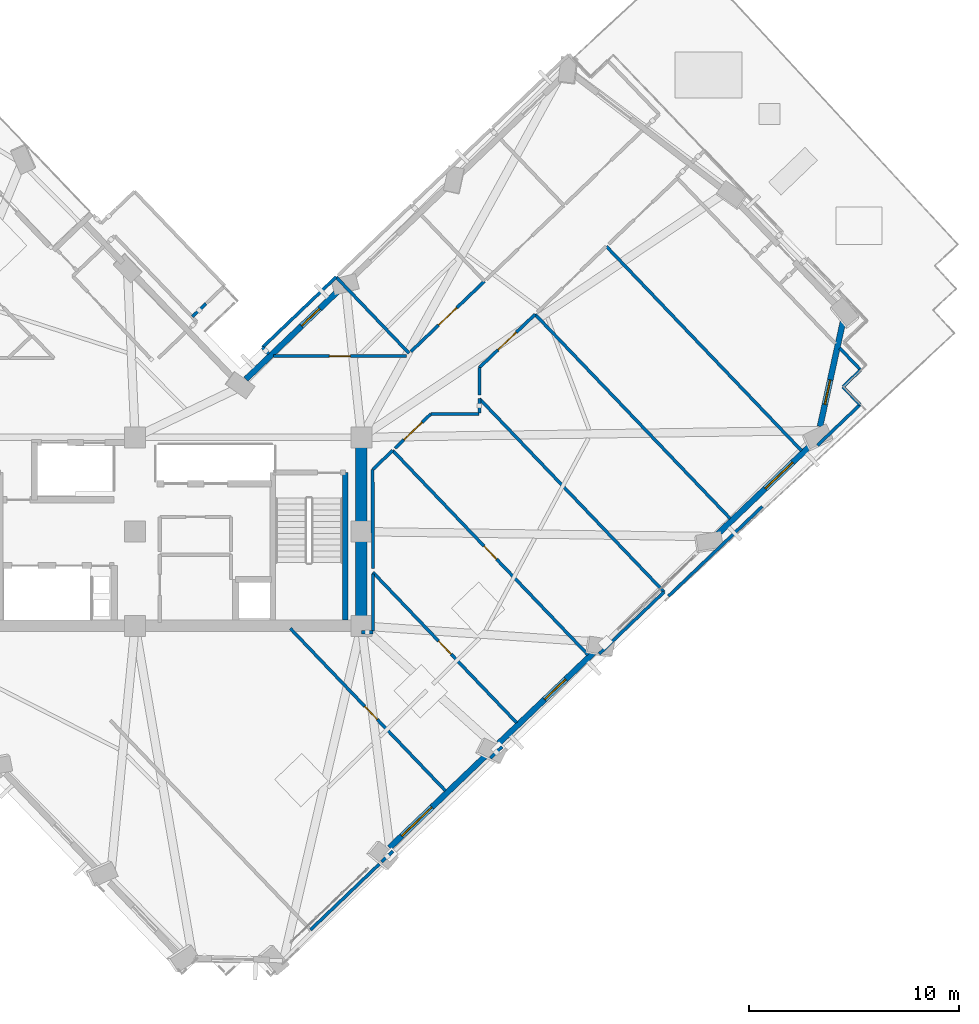
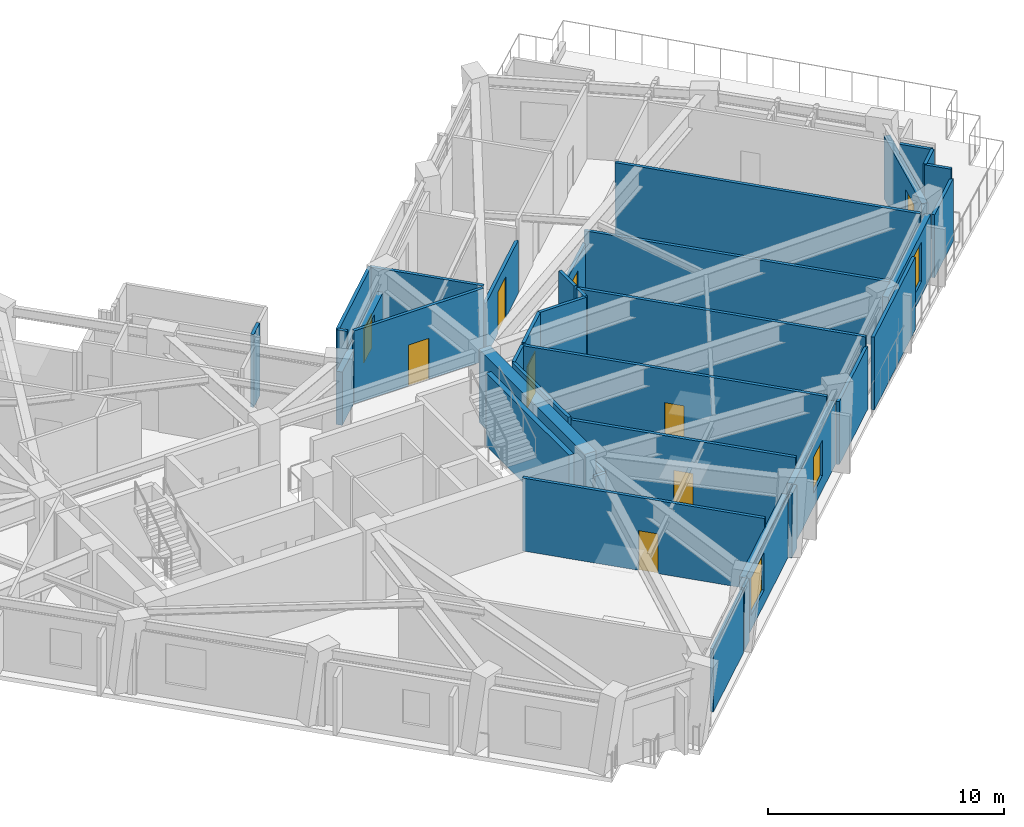
# One storey, part 10 of 17: 37 walls, 7 doors, 5 windows, 12 openings.
"""IFC4 building model written with IfcOpenShell, lengths in metres."""

from ifc_helpers import new_model, si_unit, direction, frame, frame_2d, origin, place, context, subcontext, project, spatial, rectangle, extrude, material, layer, layer_set, type_object, element, fill, save


model = new_model("IFC4")

# Units and contexts
model_context = context("Model", 3, precision=1e-05, world=origin(), true_north=direction((0.0, 1.0)))
body_context = subcontext(model_context, "Body", "Model", "MODEL_VIEW")
ifc_project = project(units=[si_unit("LENGTHUNIT", "METRE"), si_unit("AREAUNIT", "SQUARE_METRE"), si_unit("VOLUMEUNIT", "CUBIC_METRE"), si_unit("PLANEANGLEUNIT", "RADIAN"), si_unit("MASSUNIT", "GRAM", prefix="KILO")], contexts=[model_context])

# Site, building, storey
site_placement = place(None, origin())
site = spatial("IfcSite", under=ifc_project, at=site_placement, CompositionType="ELEMENT")
building_placement = place(site_placement, origin())
building = spatial("IfcBuilding", under=site, at=building_placement, Name="Gaonmaruhae Medical Tower", CompositionType="ELEMENT")
storey_placement = place(building_placement, frame((0.0, 0.0, 211.199951171875)))
storey = spatial("IfcBuildingStorey", under=building, at=storey_placement, Name="L50", CompositionType="ELEMENT", Elevation=211.199951171875)

# Wall
ifc_material_1 = material(Name="Concrete C50/60", Category="concrete")
ifc_layer_1 = layer(ifc_material_1, 0.550048828125)
ifc_layer_set_1 = layer_set([ifc_layer_1], Name="Concrete C50/60")
wall_type_1 = type_object("IfcWallType", Name="CW-550 Mid-High Core Shear Wall", PredefinedType="SHEAR", material=ifc_layer_set_1)
wall_1_placement = place(storey_placement, frame((35.60009765625, 7.800048828125, 0.0), z_axis=(0.0, 0.0, 1.0), x_axis=(0.0, 1.0, 0.0)))
element("IfcWall", 1, at=wall_1_placement, inside=storey, type_object=wall_type_1, Name="L50 Core Shear Wall CSW-E1", PredefinedType="SHEAR", context=body_context, shape_type="SweptSolid", body=[
    extrude(rectangle(XDim=9.0, YDim=0.550048828125, at=frame_2d((4.5, 0.0))), origin(), (0.0, 0.0, 1.0), 3.780029296875),
])

# Wall, opening, window
ifc_material_2 = material(Name="Precast concrete C45/55", Category="concrete")
ifc_layer_2 = layer(ifc_material_2, 0.280029296875)
ifc_layer_set_2 = layer_set([ifc_layer_2], Name="Precast concrete C45/55")
wall_type_2 = type_object("IfcWallType", Name="EW-280 Upper Precast Masonry-Frame Facade Wall", PredefinedType="SOLIDWALL", material=ifc_layer_set_2)
wall_2_placement = place(storey_placement, frame((41.594970703125, 1.664306640625, 0.0), z_axis=(0.0, 0.0, 1.0), x_axis=(-0.722963755232, -0.690885959201, 0.0)))
wall_2 = element("IfcWall", 2, at=wall_2_placement, inside=storey, type_object=wall_type_2, Name="L50 Precast Masonry-Frame Wall S02-S03", PredefinedType="SOLIDWALL", context=body_context, shape_type="SweptSolid", body=[
    extrude(rectangle(XDim=6.438720703125, YDim=0.280029296875, at=frame_2d((3.21923828125, 0.0))), origin(), (0.0, 0.0, 1.0), 3.26513671875),
])
opening_1_placement = place(wall_2_placement, frame((3.6328125, 0.0, 0.75)))
opening_1 = element("IfcOpeningElement", 3, at=opening_1_placement, cuts=wall_2, Name="Opening WN-02", PredefinedType="OPENING", context=body_context, shape_type="SweptSolid", body=[
    extrude(rectangle(XDim=2.0, YDim=1.949951171875, at=frame_2d((1.0, 0.97509765625))), frame((0.0, 0.14990234375, 0.0), z_axis=(0.0, -1.0, 0.0), x_axis=(1.0, 0.0, 0.0)), (0.0, 0.0, 1.0), 0.300048828125),
])
ifc_material_3 = material(Name="Anodised aluminium and Low-E double glazing", Category="aluminium")
window_type_1 = type_object("IfcWindowType", Name="WN-02 Double-Bed Ward Punched Window 2000x1950", PartitioningType="SINGLE_PANEL", PredefinedType="WINDOW", material=ifc_material_3)
window_1_placement = place(opening_1_placement, origin())
window_1 = element("IfcWindow", 4, at=window_1_placement, inside=storey, type_object=window_type_1, Name="L50 Modular Facade Window S02", OverallHeight=1.949951171875, OverallWidth=2.0, PartitioningType="SINGLE_PANEL", PredefinedType="WINDOW", context=body_context, shape_type="SweptSolid", body=[
    extrude(rectangle(XDim=2.0, YDim=1.949951171875, at=frame_2d((1.0, 0.97509765625))), frame((0.0, 0.030029296875, 0.0), z_axis=(0.0, -1.0, 0.0), x_axis=(1.0, 0.0, 0.0)), (0.0, 0.0, 1.0), 0.06005859375),
])
fill(opening_1, window_1)

wall_3_placement = place(storey_placement, frame((46.794189453125, 6.6328125, 0.0), z_axis=(0.0, 0.0, 1.0), x_axis=(-0.722951816102, -0.690898452448, 0.0)))
wall_3 = element("IfcWall", 5, at=wall_3_placement, inside=storey, type_object=wall_type_2, Name="L50 Precast Masonry-Frame Wall S03-S04", PredefinedType="SOLIDWALL", context=body_context, shape_type="SweptSolid", body=[
    extrude(rectangle(XDim=6.413330078125, YDim=0.280029296875, at=frame_2d((3.20654296875, 0.0))), origin(), (0.0, 0.0, 1.0), 3.26513671875),
])
opening_2_placement = place(wall_3_placement, frame((1.99267578125, 0.0, 0.75)))
opening_2 = element("IfcOpeningElement", 6, at=opening_2_placement, cuts=wall_3, Name="Opening WN-03", PredefinedType="OPENING", context=body_context, shape_type="SweptSolid", body=[
    extrude(rectangle(XDim=1.39990234375, YDim=1.85009765625, at=frame_2d((0.699951171875, 0.925048828125))), frame((0.0, 0.14990234375, 0.0), z_axis=(0.0, -1.0, 0.0), x_axis=(1.0, 0.0, 0.0)), (0.0, 0.0, 1.0), 0.300048828125),
])
window_type_2 = type_object("IfcWindowType", Name="WN-03 Isolation Ward Punched Window 1400x1850", PartitioningType="SINGLE_PANEL", PredefinedType="WINDOW", material=ifc_material_3)
window_2_placement = place(opening_2_placement, origin())
window_2 = element("IfcWindow", 7, at=window_2_placement, inside=storey, type_object=window_type_2, Name="L50 Modular Facade Window S03", OverallHeight=1.85009765625, OverallWidth=1.39990234375, PartitioningType="SINGLE_PANEL", PredefinedType="WINDOW", context=body_context, shape_type="SweptSolid", body=[
    extrude(rectangle(XDim=1.39990234375, YDim=1.85009765625, at=frame_2d((0.699951171875, 0.925048828125))), frame((0.0, 0.030029296875, 0.0), z_axis=(0.0, -1.0, 0.0), x_axis=(1.0, 0.0, 0.0)), (0.0, 0.0, 1.0), 0.06005859375),
])
fill(opening_2, window_2)

wall_4_placement = place(storey_placement, frame((57.212646484375, 16.5888671875, 0.0), z_axis=(0.0, 0.0, 1.0), x_axis=(-0.722958179975, -0.69089179327, 0.0)))
wall_4 = element("IfcWall", 8, at=wall_4_placement, inside=storey, type_object=wall_type_2, Name="L50 Precast Masonry-Frame Wall S05-S06", PredefinedType="SOLIDWALL", context=body_context, shape_type="SweptSolid", body=[
    extrude(rectangle(XDim=6.418212890625, YDim=0.280029296875, at=frame_2d((3.208984375, 0.0))), origin(), (0.0, 0.0, 1.0), 3.26513671875),
])
opening_3_placement = place(wall_4_placement, frame((1.430908203125, 0.0, 0.75)))
opening_3 = element("IfcOpeningElement", 9, at=opening_3_placement, cuts=wall_4, Name="Opening WN-04", PredefinedType="OPENING", context=body_context, shape_type="SweptSolid", body=[
    extrude(rectangle(XDim=1.800048828125, YDim=2.050048828125, at=frame_2d((0.89990234375, 1.02490234375))), frame((0.0, 0.14990234375, 0.0), z_axis=(0.0, -1.0, 0.0), x_axis=(1.0, 0.0, 0.0)), (0.0, 0.0, 1.0), 0.300048828125),
])
window_type_3 = type_object("IfcWindowType", Name="WN-04 Clinic & Consult Punched Window 1800x2050", PartitioningType="SINGLE_PANEL", PredefinedType="WINDOW", material=ifc_material_3)
window_3_placement = place(opening_3_placement, origin())
window_3 = element("IfcWindow", 10, at=window_3_placement, inside=storey, type_object=window_type_3, Name="L50 Modular Facade Window S05", OverallHeight=2.050048828125, OverallWidth=1.800048828125, PartitioningType="SINGLE_PANEL", PredefinedType="WINDOW", context=body_context, shape_type="SweptSolid", body=[
    extrude(rectangle(XDim=1.800048828125, YDim=2.050048828125, at=frame_2d((0.89990234375, 1.02490234375))), frame((0.0, 0.030029296875, 0.0), z_axis=(0.0, -1.0, 0.0), x_axis=(1.0, 0.0, 0.0)), (0.0, 0.0, 1.0), 0.06005859375),
])
fill(opening_3, window_3)

wall_5_placement = place(storey_placement, frame((58.619873046875, 22.489501953125, 0.0), z_axis=(0.0, 0.0, 1.0), x_axis=(-0.213848166645, -0.976866910906, 0.0)))
wall_5 = element("IfcWall", 11, at=wall_5_placement, inside=storey, type_object=wall_type_2, Name="L50 Precast Masonry-Frame Wall S06-E01", PredefinedType="SOLIDWALL", context=body_context, shape_type="SweptSolid", body=[
    extrude(rectangle(XDim=5.2939453125, YDim=0.280029296875, at=frame_2d((2.64697265625, 0.0))), origin(), (0.0, 0.0, 1.0), 3.26513671875),
])
opening_4_placement = place(wall_5_placement, frame((3.0166015625, 0.0, 0.75)))
opening_4 = element("IfcOpeningElement", 12, at=opening_4_placement, cuts=wall_5, Name="Opening WN-05", PredefinedType="OPENING", context=body_context, shape_type="SweptSolid", body=[
    extrude(rectangle(XDim=1.199951171875, YDim=1.75, at=frame_2d((0.60009765625, 0.875))), frame((0.0, 0.14990234375, 0.0), z_axis=(0.0, -1.0, 0.0), x_axis=(1.0, 0.0, 0.0)), (0.0, 0.0, 1.0), 0.300048828125),
])
window_type_4 = type_object("IfcWindowType", Name="WN-05 Support & Staff Punched Window 1200x1750", PartitioningType="SINGLE_PANEL", PredefinedType="WINDOW", material=ifc_material_3)
window_4_placement = place(opening_4_placement, origin())
window_4 = element("IfcWindow", 13, at=window_4_placement, inside=storey, type_object=window_type_4, Name="L50 Modular Facade Window S06", OverallHeight=1.75, OverallWidth=1.199951171875, PartitioningType="SINGLE_PANEL", PredefinedType="WINDOW", context=body_context, shape_type="SweptSolid", body=[
    extrude(rectangle(XDim=1.199951171875, YDim=1.75, at=frame_2d((0.60009765625, 0.875))), frame((0.0, 0.030029296875, 0.0), z_axis=(0.0, -1.0, 0.0), x_axis=(1.0, 0.0, 0.0)), (0.0, 0.0, 1.0), 0.06005859375),
])
fill(opening_4, window_4)

wall_6_placement = place(storey_placement, frame((30.09033203125, 19.578857421875, 0.0), z_axis=(0.0, 0.0, 1.0), x_axis=(0.722961207673, 0.690888625033, 0.0)))
wall_6 = element("IfcWall", 14, at=wall_6_placement, inside=storey, type_object=wall_type_2, Name="L50 Precast Masonry-Frame Wall EN02-KN01", PredefinedType="SOLIDWALL", context=body_context, shape_type="SweptSolid", body=[
    extrude(rectangle(XDim=6.158203125, YDim=0.280029296875, at=frame_2d((3.0791015625, 0.0))), origin(), (0.0, 0.0, 1.0), 2.76513671875),
])
opening_5_placement = place(wall_6_placement, frame((3.668701171875, 0.0, 0.75)))
opening_5 = element("IfcOpeningElement", 15, at=opening_5_placement, cuts=wall_6, Name="Opening WN-05", PredefinedType="OPENING", context=body_context, shape_type="SweptSolid", body=[
    extrude(rectangle(XDim=1.199951171875, YDim=1.75, at=frame_2d((0.60009765625, 0.875))), frame((0.0, 0.14990234375, 0.0), z_axis=(0.0, -1.0, 0.0), x_axis=(1.0, 0.0, 0.0)), (0.0, 0.0, 1.0), 0.300048828125),
])
window_5_placement = place(opening_5_placement, origin())
window_5 = element("IfcWindow", 16, at=window_5_placement, inside=storey, type_object=window_type_4, Name="L50 Modular Facade Window EN02", OverallHeight=1.75, OverallWidth=1.199951171875, PartitioningType="SINGLE_PANEL", PredefinedType="WINDOW", context=body_context, shape_type="SweptSolid", body=[
    extrude(rectangle(XDim=1.199951171875, YDim=1.75, at=frame_2d((0.60009765625, 0.875))), frame((0.0, 0.030029296875, 0.0), z_axis=(0.0, -1.0, 0.0), x_axis=(1.0, 0.0, 0.0)), (0.0, 0.0, 1.0), 0.06005859375),
])
fill(opening_5, window_5)

# Walls
ifc_material_4 = material(Name="Gypsum board partition", Category="gypsum")
ifc_layer_3 = layer(ifc_material_4, 0.14990234375)
ifc_layer_set_3 = layer_set([ifc_layer_3], Name="Gypsum board partition")
wall_type_3 = type_object("IfcWallType", Name="PW-150 Rated Clinical Corridor Partition", PredefinedType="PARTITIONING", material=ifc_layer_set_3)
wall_7_placement = place(storey_placement, frame((36.4541015625, -3.56689453125, 0.0), z_axis=(0.0, 0.0, 1.0), x_axis=(-0.722870711173, -0.690983310167, 0.0)))
element("IfcWall", 17, at=wall_7_placement, inside=storey, type_object=wall_type_3, Name="L50 Interior Partition L50-SUP02-9", PredefinedType="PARTITIONING", context=body_context, shape_type="SweptSolid", body=[
    extrude(rectangle(XDim=4.540283203125, YDim=0.14990234375, at=frame_2d((2.27001953125, 0.0))), origin(), (0.0, 0.0, 1.0), 3.26513671875),
])
wall_8_placement = place(storey_placement, frame((37.09912109375, -2.949951171875, 0.0), z_axis=(0.0, 0.0, 1.0), x_axis=(-0.723242087465, -0.690594586511, 0.0)))
element("IfcWall", 18, at=wall_8_placement, inside=storey, type_object=wall_type_3, Name="L50 Interior Partition L50-SUP03-11", PredefinedType="PARTITIONING", context=body_context, shape_type="SweptSolid", body=[
    extrude(rectangle(XDim=0.73291015625, YDim=0.14990234375, at=frame_2d((0.366455078125, 0.0))), origin(), (0.0, 0.0, 1.0), 3.26513671875),
])

# Wall, opening, door
wall_9_placement = place(storey_placement, frame((32.2119140625, 7.675048828125, 0.0), z_axis=(0.0, 0.0, 1.0), x_axis=(0.690869154535, -0.722979813903, 0.0)))
wall_9 = element("IfcWall", 19, at=wall_9_placement, inside=storey, type_object=wall_type_3, Name="L50 Interior Partition L50-SUP03-13", PredefinedType="PARTITIONING", context=body_context, shape_type="SweptSolid", body=[
    extrude(rectangle(XDim=10.712890625, YDim=0.14990234375, at=frame_2d((5.3564453125, 0.0))), origin(), (0.0, 0.0, 1.0), 3.780029296875),
])
opening_6_placement = place(wall_9_placement, frame((5.140380859375, 0.0, 0.0)))
opening_6 = element("IfcOpeningElement", 20, at=opening_6_placement, cuts=wall_9, Name="Opening AD-01", PredefinedType="OPENING", context=body_context, shape_type="SweptSolid", body=[
    extrude(rectangle(XDim=0.860107421875, YDim=2.06005859375, at=frame_2d((0.43017578125, 1.030029296875))), frame((0.0, 0.0849609375, 0.0), z_axis=(0.0, -1.0, 0.0), x_axis=(1.0, 0.0, 0.0)), (0.0, 0.0, 1.0), 0.169921875),
])
ifc_material_5 = material(Name="Powder-coated steel access door", Category="steel")
door_type_1 = type_object("IfcDoorType", Name="AD-01 Riser & Closet Access Fire Door 860x2060", OperationType="NOTDEFINED", PredefinedType="DOOR", material=ifc_material_5)
door_1_placement = place(opening_6_placement, origin())
door_1 = element("IfcDoor", 21, at=door_1_placement, inside=storey, type_object=door_type_1, Name="L50 Clinical Biomedical Charting Office Sliding Door", OperationType="SLIDING_TO_LEFT", OverallHeight=2.06005859375, OverallWidth=0.860107421875, PredefinedType="DOOR", context=body_context, shape_type="SweptSolid", body=[
    extrude(rectangle(XDim=0.860107421875, YDim=2.06005859375, at=frame_2d((0.43017578125, 1.030029296875))), frame((0.0, 0.02490234375, 0.0), z_axis=(0.0, -1.0, 0.0), x_axis=(1.0, 0.0, 0.0)), (0.0, 0.0, 1.0), 0.050048828125),
])
fill(opening_6, door_1)

wall_10_placement = place(storey_placement, frame((36.14990234375, 10.35693359375, 0.0), z_axis=(0.0, 0.0, 1.0), x_axis=(0.690871478305, -0.722977593335, 0.0)))
wall_10 = element("IfcWall", 22, at=wall_10_placement, inside=storey, type_object=wall_type_3, Name="L50 Interior Partition L50-SUP04-14", PredefinedType="PARTITIONING", context=body_context, shape_type="SweptSolid", body=[
    extrude(rectangle(XDim=9.93115234375, YDim=0.14990234375, at=frame_2d((4.965576171875, 0.0))), origin(), (0.0, 0.0, 1.0), 3.780029296875),
])
opening_7_placement = place(wall_10_placement, frame((4.535400390625, 0.0, 0.0)))
opening_7 = element("IfcOpeningElement", 23, at=opening_7_placement, cuts=wall_10, Name="Opening AD-01", PredefinedType="OPENING", context=body_context, shape_type="SweptSolid", body=[
    extrude(rectangle(XDim=0.860107421875, YDim=2.06005859375, at=frame_2d((0.43017578125, 1.030029296875))), frame((0.0, 0.0849609375, 0.0), z_axis=(0.0, -1.0, 0.0), x_axis=(1.0, 0.0, 0.0)), (0.0, 0.0, 1.0), 0.169921875),
])
door_2_placement = place(opening_7_placement, origin())
door_2 = element("IfcDoor", 24, at=door_2_placement, inside=storey, type_object=door_type_1, Name="L50 Clinical Biomedical Charting Office Sliding Door", OperationType="SLIDING_TO_LEFT", OverallHeight=2.06005859375, OverallWidth=0.860107421875, PredefinedType="DOOR", context=body_context, shape_type="SweptSolid", body=[
    extrude(rectangle(XDim=0.860107421875, YDim=2.06005859375, at=frame_2d((0.43017578125, 1.030029296875))), frame((0.0, 0.02490234375, 0.0), z_axis=(0.0, -1.0, 0.0), x_axis=(1.0, 0.0, 0.0)), (0.0, 0.0, 1.0), 0.050048828125),
])
fill(opening_7, door_2)

# Walls
wall_11_placement = place(storey_placement, frame((42.31689453125, 2.034912109375, 0.0), z_axis=(0.0, 0.0, 1.0), x_axis=(-0.723697447881, -0.690117384168, 0.0)))
element("IfcWall", 25, at=wall_11_placement, inside=storey, type_object=wall_type_3, Name="L50 Interior Partition L50-SUP04-15", PredefinedType="PARTITIONING", context=body_context, shape_type="SweptSolid", body=[
    extrude(rectangle(XDim=0.77783203125, YDim=0.14990234375, at=frame_2d((0.388916015625, 0.0))), origin(), (0.0, 0.0, 1.0), 3.26513671875),
])
wall_12_placement = place(storey_placement, frame((35.60009765625, 7.5, 0.0), z_axis=(0.0, 0.0, 1.0), x_axis=(1.0, 0.0, 0.0)))
element("IfcWall", 26, at=wall_12_placement, inside=storey, type_object=wall_type_3, Name="L50 Interior Partition L50-SUP04-16", PredefinedType="PARTITIONING", context=body_context, shape_type="SweptSolid", body=[
    extrude(rectangle(XDim=0.5498046875, YDim=0.14990234375, at=frame_2d((0.27490234375, 0.0))), origin(), (0.0, 0.0, 1.0), 2.76513671875),
])
wall_13_placement = place(storey_placement, frame((36.14990234375, 7.550048828125, 0.0), z_axis=(0.0, 0.0, 1.0), x_axis=(0.0, 1.0, 0.0)))
element("IfcWall", 27, at=wall_13_placement, inside=storey, type_object=wall_type_3, Name="L50 Interior Partition L50-SUP04-17", PredefinedType="PARTITIONING", context=body_context, shape_type="SweptSolid", body=[
    extrude(rectangle(XDim=2.73486328125, YDim=0.14990234375, at=frame_2d((1.367431640625, 0.0))), origin(), (0.0, 0.0, 1.0), 2.76513671875),
])
wall_14_placement = place(storey_placement, frame((36.136962890625, 15.260009765625, 0.0), z_axis=(0.0, 0.0, 1.0), x_axis=(0.723171047123, 0.690668977589, 0.0)))
element("IfcWall", 28, at=wall_14_placement, inside=storey, type_object=wall_type_3, Name="L50 Interior Partition L50-SUP05-18", PredefinedType="PARTITIONING", context=body_context, shape_type="SweptSolid", body=[
    extrude(rectangle(XDim=1.322021484375, YDim=0.14990234375, at=frame_2d((0.6611328125, 0.0))), origin(), (0.0, 0.0, 1.0), 3.780029296875),
])

# Wall, opening, door
wall_15_placement = place(storey_placement, frame((37.093017578125, 16.173095703125, 0.0), z_axis=(0.0, 0.0, 1.0), x_axis=(0.690902774349, -0.722947685795, 0.0)))
wall_15 = element("IfcWall", 29, at=wall_15_placement, inside=storey, type_object=wall_type_3, Name="L50 Interior Partition L50-SUP05-19", PredefinedType="PARTITIONING", context=body_context, shape_type="SweptSolid", body=[
    extrude(rectangle(XDim=13.485107421875, YDim=0.14990234375, at=frame_2d((6.74267578125, 0.0))), origin(), (0.0, 0.0, 1.0), 3.780029296875),
])
opening_8_placement = place(wall_15_placement, frame((6.3125, 0.0, 0.0)))
opening_8 = element("IfcOpeningElement", 30, at=opening_8_placement, cuts=wall_15, Name="Opening AD-01", PredefinedType="OPENING", context=body_context, shape_type="SweptSolid", body=[
    extrude(rectangle(XDim=0.860107421875, YDim=2.06005859375, at=frame_2d((0.43017578125, 1.030029296875))), frame((0.0, 0.0849609375, 0.0), z_axis=(0.0, -1.0, 0.0), x_axis=(1.0, 0.0, 0.0)), (0.0, 0.0, 1.0), 0.169921875),
])
door_3_placement = place(opening_8_placement, origin())
door_3 = element("IfcDoor", 31, at=door_3_placement, inside=storey, type_object=door_type_1, Name="L50 Clinical Biomedical Charting Office Sliding Door", OperationType="SLIDING_TO_LEFT", OverallHeight=2.06005859375, OverallWidth=0.860107421875, PredefinedType="DOOR", context=body_context, shape_type="SweptSolid", body=[
    extrude(rectangle(XDim=0.860107421875, YDim=2.06005859375, at=frame_2d((0.43017578125, 1.030029296875))), frame((0.0, 0.02490234375, 0.0), z_axis=(0.0, -1.0, 0.0), x_axis=(1.0, 0.0, 0.0)), (0.0, 0.0, 1.0), 0.050048828125),
])
fill(opening_8, door_3)

# Walls
wall_16_placement = place(storey_placement, frame((36.14990234375, 10.5380859375, 0.0), z_axis=(0.0, 0.0, 1.0), x_axis=(-0.002740282354, 0.999996245419, 0.0)))
element("IfcWall", 32, at=wall_16_placement, inside=storey, type_object=wall_type_3, Name="L50 Interior Partition L50-SUP05-20", PredefinedType="PARTITIONING", context=body_context, shape_type="SweptSolid", body=[
    extrude(rectangle(XDim=4.721923828125, YDim=0.14990234375, at=frame_2d((2.36083984375, 0.0))), origin(), (0.0, 0.0, 1.0), 3.780029296875),
])
wall_17_placement = place(storey_placement, frame((41.22998046875, 17.949951171875, 0.0), z_axis=(0.0, 0.0, 1.0), x_axis=(0.0, 1.0, 0.0)))
element("IfcWall", 33, at=wall_17_placement, inside=storey, type_object=wall_type_3, Name="L50 Interior Partition L50-SUP06-21", PredefinedType="PARTITIONING", context=body_context, shape_type="SweptSolid", body=[
    extrude(rectangle(XDim=0.697021484375, YDim=0.14990234375, at=frame_2d((0.3486328125, 0.0))), origin(), (0.0, 0.0, 1.0), 3.780029296875),
])
wall_18_placement = place(storey_placement, frame((41.22998046875, 18.64697265625, 0.0), z_axis=(0.0, 0.0, 1.0), x_axis=(0.690901109008, -0.722949277316, 0.0)))
element("IfcWall", 34, at=wall_18_placement, inside=storey, type_object=wall_type_3, Name="L50 Interior Partition L50-SUP06-22", PredefinedType="PARTITIONING", context=body_context, shape_type="SweptSolid", body=[
    extrude(rectangle(XDim=12.760009765625, YDim=0.14990234375, at=frame_2d((6.3798828125, 0.0))), origin(), (0.0, 0.0, 1.0), 3.780029296875),
])
wall_19_placement = place(storey_placement, frame((50.0458984375, 9.422119140625, 0.0), z_axis=(0.0, 0.0, 1.0), x_axis=(-0.723045801537, -0.690800093283, 0.0)))
element("IfcWall", 35, at=wall_19_placement, inside=storey, type_object=wall_type_3, Name="L50 Interior Partition L50-SUP06-23", PredefinedType="PARTITIONING", context=body_context, shape_type="SweptSolid", body=[
    extrude(rectangle(XDim=4.27783203125, YDim=0.14990234375, at=frame_2d((2.138916015625, 0.0))), origin(), (0.0, 0.0, 1.0), 3.26513671875),
])

# Wall, opening, door
wall_20_placement = place(storey_placement, frame((37.2080078125, 16.283935546875, 0.0), z_axis=(0.0, 0.0, 1.0), x_axis=(0.723154271993, 0.690686541709, 0.0)))
wall_20 = element("IfcWall", 36, at=wall_20_placement, inside=storey, type_object=wall_type_3, Name="L50 Interior Partition L50-SUP06-24", PredefinedType="PARTITIONING", context=body_context, shape_type="SweptSolid", body=[
    extrude(rectangle(XDim=2.36865234375, YDim=0.14990234375, at=frame_2d((1.184326171875, 0.0))), origin(), (0.0, 0.0, 1.0), 3.780029296875),
])
opening_9_placement = place(wall_20_placement, frame((0.58447265625, 0.0, 0.0)))
opening_9 = element("IfcOpeningElement", 37, at=opening_9_placement, cuts=wall_20, Name="Opening CD-02", PredefinedType="OPENING", context=body_context, shape_type="SweptSolid", body=[
    extrude(rectangle(XDim=1.199951171875, YDim=2.14990234375, at=frame_2d((0.60009765625, 1.074951171875))), frame((0.0, 0.0849609375, 0.0), z_axis=(0.0, -1.0, 0.0), x_axis=(1.0, 0.0, 0.0)), (0.0, 0.0, 1.0), 0.169921875),
])
ifc_material_6 = material(Name="Antimicrobial laminate timber fire door", Category="wood")
door_type_2 = type_object("IfcDoorType", Name="CD-02 Clinical Treatment & Procedure Door 1200x2150", OperationType="NOTDEFINED", PredefinedType="DOOR", material=ifc_material_6)
door_4_placement = place(opening_9_placement, origin())
door_4 = element("IfcDoor", 38, at=door_4_placement, inside=storey, type_object=door_type_2, Name="L50 Clinical Biomedical Charting Office Door", OperationType="SINGLE_SWING_LEFT", OverallHeight=2.14990234375, OverallWidth=1.199951171875, PredefinedType="DOOR", context=body_context, shape_type="SweptSolid", body=[
    extrude(rectangle(XDim=1.199951171875, YDim=2.14990234375, at=frame_2d((0.60009765625, 1.074951171875))), frame((0.0, 0.02490234375, 0.0), z_axis=(0.0, -1.0, 0.0), x_axis=(1.0, 0.0, 0.0)), (0.0, 0.0, 1.0), 0.050048828125),
])
fill(opening_9, door_4)

# Walls
wall_21_placement = place(storey_placement, frame((38.9208984375, 17.919921875, 0.0), z_axis=(0.0, 0.0, 1.0), x_axis=(1.0, 0.0, 0.0)))
element("IfcWall", 39, at=wall_21_placement, inside=storey, type_object=wall_type_3, Name="L50 Interior Partition L50-SUP06-25", PredefinedType="PARTITIONING", context=body_context, shape_type="SweptSolid", body=[
    extrude(rectangle(XDim=2.281982421875, YDim=0.14990234375, at=frame_2d((1.14111328125, 0.0))), origin(), (0.0, 0.0, 1.0), 3.780029296875),
])
wall_22_placement = place(storey_placement, frame((43.888916015625, 22.6669921875, 0.0), z_axis=(0.0, 0.0, 1.0), x_axis=(0.690910559681, -0.722940245471, 0.0)))
element("IfcWall", 40, at=wall_22_placement, inside=storey, type_object=wall_type_3, Name="L50 Interior Partition L50-SUP07-26", PredefinedType="PARTITIONING", context=body_context, shape_type="SweptSolid", body=[
    extrude(rectangle(XDim=13.48388671875, YDim=0.14990234375, at=frame_2d((6.741943359375, 0.0))), origin(), (0.0, 0.0, 1.0), 3.4150390625),
])
wall_23_placement = place(storey_placement, frame((41.22998046875, 18.827880859375, 0.0), z_axis=(0.0, 0.0, 1.0), x_axis=(0.0, 1.0, 0.0)))
element("IfcWall", 41, at=wall_23_placement, inside=storey, type_object=wall_type_3, Name="L50 Interior Partition L50-SUP07-28", PredefinedType="PARTITIONING", context=body_context, shape_type="SweptSolid", body=[
    extrude(rectangle(XDim=1.299072265625, YDim=0.14990234375, at=frame_2d((0.6494140625, 0.0))), origin(), (0.0, 0.0, 1.0), 3.780029296875),
])

# Wall, opening, door
wall_24_placement = place(storey_placement, frame((41.22998046875, 20.126953125, 0.0), z_axis=(0.0, 0.0, 1.0), x_axis=(0.723088697015, 0.690755192705, 0.0)))
wall_24 = element("IfcWall", 42, at=wall_24_placement, inside=storey, type_object=wall_type_3, Name="L50 Interior Partition L50-SUP07-29", PredefinedType="PARTITIONING", context=body_context, shape_type="SweptSolid", body=[
    extrude(rectangle(XDim=3.67724609375, YDim=0.14990234375, at=frame_2d((1.838623046875, 0.0))), origin(), (0.0, 0.0, 1.0), 2.76513671875),
])
opening_10_placement = place(wall_24_placement, frame((1.238525390625, 0.0, 0.0)))
opening_10 = element("IfcOpeningElement", 43, at=opening_10_placement, cuts=wall_24, Name="Opening CD-02", PredefinedType="OPENING", context=body_context, shape_type="SweptSolid", body=[
    extrude(rectangle(XDim=1.199951171875, YDim=2.14990234375, at=frame_2d((0.60009765625, 1.074951171875))), frame((0.0, 0.0849609375, 0.0), z_axis=(0.0, -1.0, 0.0), x_axis=(1.0, 0.0, 0.0)), (0.0, 0.0, 1.0), 0.169921875),
])
door_5_placement = place(opening_10_placement, origin())
door_5 = element("IfcDoor", 44, at=door_5_placement, inside=storey, type_object=door_type_2, Name="L50 Clinical Biomedical Charting Office Door", OperationType="SINGLE_SWING_RIGHT", OverallHeight=2.14990234375, OverallWidth=1.199951171875, PredefinedType="DOOR", context=body_context, shape_type="SweptSolid", body=[
    extrude(rectangle(XDim=1.199951171875, YDim=2.14990234375, at=frame_2d((0.60009765625, 1.074951171875))), frame((0.0, 0.02490234375, 0.0), z_axis=(0.0, -1.0, 0.0), x_axis=(1.0, 0.0, 0.0)), (0.0, 0.0, 1.0), 0.050048828125),
])
fill(opening_10, door_5)

# Walls
wall_25_placement = place(storey_placement, frame((47.287109375, 25.9150390625, 0.0), z_axis=(0.0, 0.0, 1.0), x_axis=(0.690828749695, -0.72301842203, 0.0)))
element("IfcWall", 45, at=wall_25_placement, inside=storey, type_object=wall_type_3, Name="L50 Interior Partition L50-SUP08-31", PredefinedType="PARTITIONING", context=body_context, shape_type="SweptSolid", body=[
    extrude(rectangle(XDim=13.485107421875, YDim=0.14990234375, at=frame_2d((6.74267578125, 0.0))), origin(), (0.0, 0.0, 1.0), 3.780029296875),
])
wall_26_placement = place(storey_placement, frame((59.39697265625, 18.35791015625, 0.0), z_axis=(0.0, 0.0, 1.0), x_axis=(-0.723173492575, -0.690666417047, 0.0)))
element("IfcWall", 46, at=wall_26_placement, inside=storey, type_object=wall_type_3, Name="L50 Interior Partition L50-SUP09-32", PredefinedType="PARTITIONING", context=body_context, shape_type="SweptSolid", body=[
    extrude(rectangle(XDim=2.80126953125, YDim=0.14990234375, at=frame_2d((1.400634765625, 0.0))), origin(), (0.0, 0.0, 1.0), 3.26513671875),
])
wall_27_placement = place(storey_placement, frame((58.425048828125, 21.06201171875, 0.0), z_axis=(0.0, 0.0, 1.0), x_axis=(0.690716586023, -0.723125575397, 0.0)))
element("IfcWall", 47, at=wall_27_placement, inside=storey, type_object=wall_type_3, Name="L50 Interior Partition L50-SUP09-35", PredefinedType="PARTITIONING", context=body_context, shape_type="SweptSolid", body=[
    extrude(rectangle(XDim=1.4462890625, YDim=0.14990234375, at=frame_2d((0.72314453125, 0.0))), origin(), (0.0, 0.0, 1.0), 3.780029296875),
])
wall_28_placement = place(storey_placement, frame((59.424072265625, 20.01611328125, 0.0), z_axis=(0.0, 0.0, 1.0), x_axis=(-0.722751072616, -0.691108448098, 0.0)))
element("IfcWall", 48, at=wall_28_placement, inside=storey, type_object=wall_type_3, Name="L50 Interior Partition L50-SUP09-36", PredefinedType="PARTITIONING", context=body_context, shape_type="SweptSolid", body=[
    extrude(rectangle(XDim=1.1650390625, YDim=0.14990234375, at=frame_2d((0.58251953125, 0.0))), origin(), (0.0, 0.0, 1.0), 3.780029296875),
])
wall_29_placement = place(storey_placement, frame((58.58203125, 19.2109375, 0.0), z_axis=(0.0, 0.0, 1.0), x_axis=(0.690780844527, -0.723064191365, 0.0)))
element("IfcWall", 49, at=wall_29_placement, inside=storey, type_object=wall_type_3, Name="L50 Interior Partition L50-SUP09-37", PredefinedType="PARTITIONING", context=body_context, shape_type="SweptSolid", body=[
    extrude(rectangle(XDim=1.1796875, YDim=0.14990234375, at=frame_2d((0.58984375, 0.0))), origin(), (0.0, 0.0, 1.0), 3.780029296875),
])
wall_30_placement = place(storey_placement, frame((30.882080078125, 21.095947265625, 0.0), z_axis=(0.0, 0.0, 1.0), x_axis=(0.722982323173, 0.690866528629, 0.0)))
element("IfcWall", 50, at=wall_30_placement, inside=storey, type_object=wall_type_3, Name="L50 Interior Partition L50-IE02-59", PredefinedType="PARTITIONING", context=body_context, shape_type="SweptSolid", body=[
    extrude(rectangle(XDim=4.857666015625, YDim=0.14990234375, at=frame_2d((2.4287109375, 0.0))), origin(), (0.0, 0.0, 1.0), 3.780029296875),
])
wall_31_placement = place(storey_placement, frame((34.39404296875, 24.451904296875, 0.0), z_axis=(0.0, 0.0, 1.0), x_axis=(0.690963001326, -0.7228901236, 0.0)))
element("IfcWall", 51, at=wall_31_placement, inside=storey, type_object=wall_type_3, Name="L50 Interior Partition L50-IE02-60", PredefinedType="PARTITIONING", context=body_context, shape_type="SweptSolid", body=[
    extrude(rectangle(XDim=5.039306640625, YDim=0.14990234375, at=frame_2d((2.51953125, 0.0))), origin(), (0.0, 0.0, 1.0), 3.780029296875),
])

# Wall, opening, door
wall_32_placement = place(storey_placement, frame((37.741943359375, 20.679931640625, 0.0), z_axis=(0.0, 0.0, 1.0), x_axis=(-1.0, 0.0, 0.0)))
wall_32 = element("IfcWall", 52, at=wall_32_placement, inside=storey, type_object=wall_type_3, Name="L50 Interior Partition L50-IE02-61", PredefinedType="PARTITIONING", context=body_context, shape_type="SweptSolid", body=[
    extrude(rectangle(XDim=6.3330078125, YDim=0.14990234375, at=frame_2d((3.16650390625, 0.0))), origin(), (0.0, 0.0, 1.0), 3.780029296875),
])
opening_11_placement = place(wall_32_placement, frame((2.66650390625, 0.0, 0.0)))
opening_11 = element("IfcOpeningElement", 53, at=opening_11_placement, cuts=wall_32, Name="Opening CD-01", PredefinedType="OPENING", context=body_context, shape_type="SweptSolid", body=[
    extrude(rectangle(XDim=1.0, YDim=2.1201171875, at=frame_2d((0.5, 1.06005859375))), frame((0.0, 0.0849609375, 0.0), z_axis=(0.0, -1.0, 0.0), x_axis=(1.0, 0.0, 0.0)), (0.0, 0.0, 1.0), 0.169921875),
])
door_type_3 = type_object("IfcDoorType", Name="CD-01 Consultation & Physician Office Door 1000x2120", OperationType="NOTDEFINED", PredefinedType="DOOR", material=ifc_material_6)
door_6_placement = place(opening_11_placement, origin())
door_6 = element("IfcDoor", 54, at=door_6_placement, inside=storey, type_object=door_type_3, Name="L50 Acute Treatment Examination Room Door", OperationType="SINGLE_SWING_LEFT", OverallHeight=2.1201171875, OverallWidth=1.0, PredefinedType="DOOR", context=body_context, shape_type="SweptSolid", body=[
    extrude(rectangle(XDim=1.0, YDim=2.1201171875, at=frame_2d((0.5, 1.06005859375))), frame((0.0, 0.02490234375, 0.0), z_axis=(0.0, -1.0, 0.0), x_axis=(1.0, 0.0, 0.0)), (0.0, 0.0, 1.0), 0.050048828125),
])
fill(opening_11, door_6)

# Wall
wall_33_placement = place(storey_placement, frame((31.18310546875, 20.781982421875, 0.0), z_axis=(0.0, 0.0, 1.0), x_axis=(-0.692076018043, 0.721824622225, 0.0)))
element("IfcWall", 55, at=wall_33_placement, inside=storey, type_object=wall_type_3, Name="L50 Interior Partition L50-IE02-62", PredefinedType="PARTITIONING", context=body_context, shape_type="SweptSolid", body=[
    extrude(rectangle(XDim=0.43505859375, YDim=0.14990234375, at=frame_2d((0.217529296875, 0.0))), origin(), (0.0, 0.0, 1.0), 3.780029296875),
])

# Wall, opening, door
wall_34_placement = place(storey_placement, frame((41.47509765625, 24.248046875, 0.0), z_axis=(0.0, 0.0, 1.0), x_axis=(-0.723006310532, -0.690841425315, 0.0)))
wall_34 = element("IfcWall", 56, at=wall_34_placement, inside=storey, type_object=wall_type_3, Name="L50 Interior Partition L50-IE03-63", PredefinedType="PARTITIONING", context=body_context, shape_type="SweptSolid", body=[
    extrude(rectangle(XDim=4.857666015625, YDim=0.14990234375, at=frame_2d((2.4287109375, 0.0))), origin(), (0.0, 0.0, 1.0), 2.76513671875),
])
opening_12_placement = place(wall_34_placement, frame((1.828857421875, 0.0, 0.0)))
opening_12 = element("IfcOpeningElement", 57, at=opening_12_placement, cuts=wall_34, Name="Opening CD-02", PredefinedType="OPENING", context=body_context, shape_type="SweptSolid", body=[
    extrude(rectangle(XDim=1.199951171875, YDim=2.14990234375, at=frame_2d((0.60009765625, 1.074951171875))), frame((0.0, 0.0849609375, 0.0), z_axis=(0.0, -1.0, 0.0), x_axis=(1.0, 0.0, 0.0)), (0.0, 0.0, 1.0), 0.169921875),
])
door_7_placement = place(opening_12_placement, origin())
door_7 = element("IfcDoor", 58, at=door_7_placement, inside=storey, type_object=door_type_2, Name="L50 Clean Medication Preparation Room Door", OperationType="SINGLE_SWING_RIGHT", OverallHeight=2.14990234375, OverallWidth=1.199951171875, PredefinedType="DOOR", context=body_context, shape_type="SweptSolid", body=[
    extrude(rectangle(XDim=1.199951171875, YDim=2.14990234375, at=frame_2d((0.60009765625, 1.074951171875))), frame((0.0, 0.02490234375, 0.0), z_axis=(0.0, -1.0, 0.0), x_axis=(1.0, 0.0, 0.0)), (0.0, 0.0, 1.0), 0.050048828125),
])
fill(opening_12, door_7)

# Walls
wall_35_placement = place(storey_placement, frame((28.18798828125, 23.18310546875, 0.0), z_axis=(0.0, 0.0, 1.0), x_axis=(-0.722924471625, -0.690927064404, 0.0)))
element("IfcWall", 59, at=wall_35_placement, inside=storey, type_object=wall_type_3, Name="L50 Interior Partition L50-RM03-97", PredefinedType="PARTITIONING", context=body_context, shape_type="SweptSolid", body=[
    extrude(rectangle(XDim=0.900390625, YDim=0.14990234375, at=frame_2d((0.4501953125, 0.0))), origin(), (0.0, 0.0, 1.0), 3.780029296875),
])
wall_36_placement = place(storey_placement, frame((54.73193359375, 13.4990234375, 0.0), z_axis=(0.0, 0.0, 1.0), x_axis=(-0.722899628279, -0.690953057331, 0.0)))
element("IfcWall", 60, at=wall_36_placement, inside=storey, type_object=wall_type_3, Name="L50 Interior Partition L50-RM05-101", PredefinedType="PARTITIONING", context=body_context, shape_type="SweptSolid", body=[
    extrude(rectangle(XDim=6.190185546875, YDim=0.14990234375, at=frame_2d((3.09521484375, 0.0))), origin(), (0.0, 0.0, 1.0), 3.780029296875),
])
ifc_layer_4 = layer(ifc_material_1, 0.239990234375)
ifc_layer_set_4 = layer_set([ifc_layer_4], Name="Concrete C50/60")
wall_type_4 = type_object("IfcWallType", Name="SW-240 Dogleg Stair Tight Shaft Wall", PredefinedType="SOLIDWALL", material=ifc_layer_set_4)
wall_37_placement = place(storey_placement, frame((34.830078125, 15.1201171875, 0.0), z_axis=(0.0, 0.0, 1.0), x_axis=(0.0, -1.0, 0.0)))
element("IfcWall", 61, at=wall_37_placement, inside=storey, type_object=wall_type_4, Name="L50 ST-02 Stair Shaft Wall SHW-ST-02-E", PredefinedType="SOLIDWALL", context=body_context, shape_type="SweptSolid", body=[
    extrude(rectangle(XDim=7.045166015625, YDim=0.239990234375, at=frame_2d((3.5224609375, 0.0))), origin(), (0.0, 0.0, 1.0), 3.780029296875),
])

save(model, "model.ifc")
